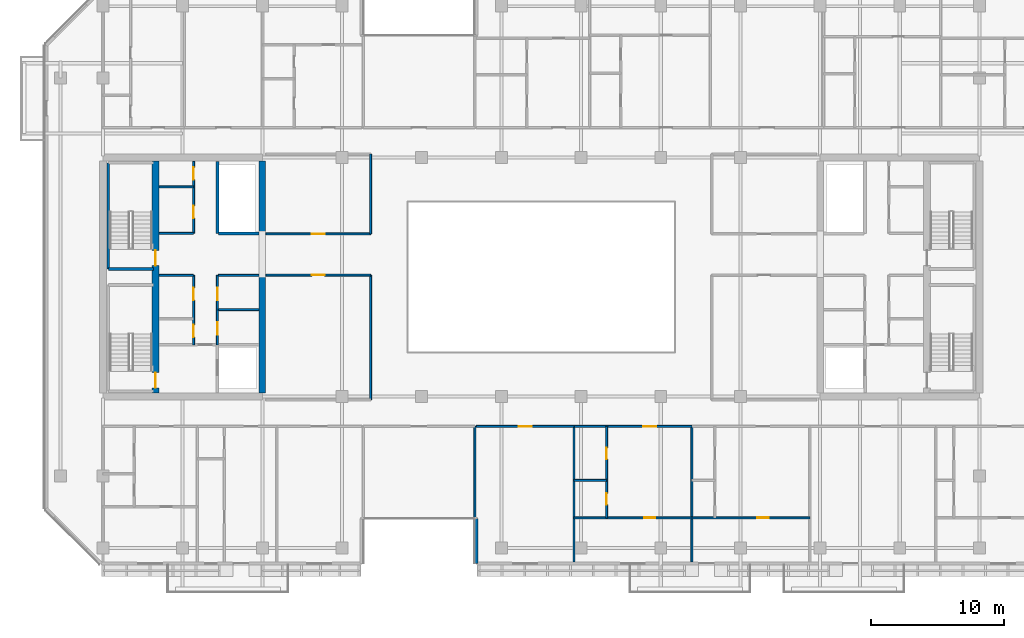
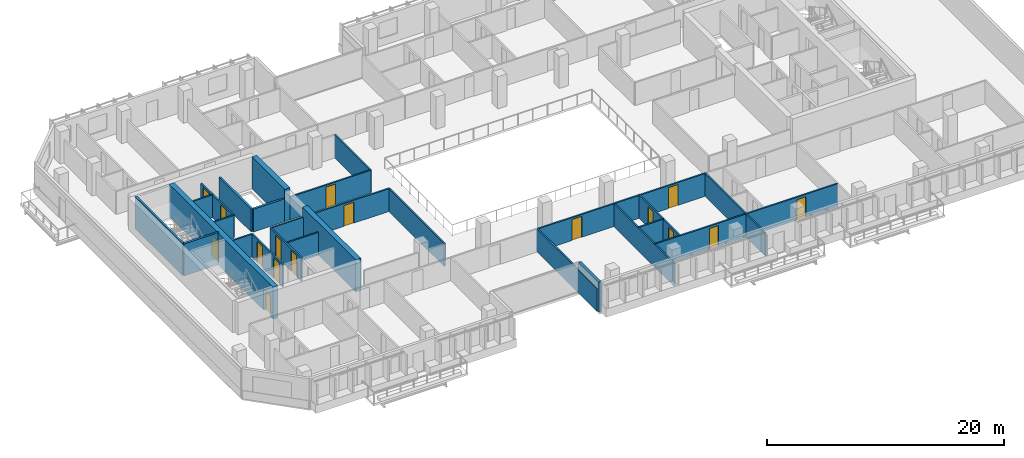
# One storey, part 10 of 21: 29 walls, 16 doors, 16 openings.
"""IFC4 building model written with IfcOpenShell, lengths in metres."""

from ifc_helpers import new_model, si_unit, direction, frame, frame_2d, origin, place, context, subcontext, project, spatial, rectangle, extrude, material, layer, layer_set, type_object, element, fill, save


model = new_model("IFC4")

# Units and contexts
model_context = context("Model", 3, precision=1e-05, world=origin(), true_north=direction((0.0, 1.0)))
body_context = subcontext(model_context, "Body", "Model", "MODEL_VIEW")
ifc_project = project(units=[si_unit("LENGTHUNIT", "METRE"), si_unit("AREAUNIT", "SQUARE_METRE"), si_unit("VOLUMEUNIT", "CUBIC_METRE"), si_unit("PLANEANGLEUNIT", "RADIAN"), si_unit("MASSUNIT", "GRAM", prefix="KILO")], contexts=[model_context])

# Site, building, storey
site_placement = place(None, origin())
site = spatial("IfcSite", under=ifc_project, at=site_placement, CompositionType="ELEMENT")
building_placement = place(site_placement, origin())
building = spatial("IfcBuilding", under=site, at=building_placement, Name="Tanjung Sevakor Pilgrim Tower", CompositionType="ELEMENT")
storey_placement = place(building_placement, frame((0.0, 0.0, 145.199951171875)))
storey = spatial("IfcBuildingStorey", under=building, at=storey_placement, Name="L40", CompositionType="ELEMENT", Elevation=145.199951171875)

# Walls
ifc_material_1 = material(Name="Concrete C60/75", Category="concrete")
ifc_layer_1 = layer(ifc_material_1, 0.5)
ifc_layer_set_1 = layer_set([ifc_layer_1], Name="WALL-CW-500")
wall_type_1 = type_object("IfcWallType", Name="WALL-CW-500", PredefinedType="SHEAR", material=ifc_layer_set_1)
wall_1_placement = place(storey_placement, frame((36.0, 24.85009765625, 0.0), z_axis=(0.0, 0.0, 1.0), x_axis=(0.0, 1.0, 0.0)))
element("IfcWall", 1, at=wall_1_placement, inside=storey, type_object=wall_type_1, Name="L40 W Core Inner Shear Wall South", PredefinedType="SHEAR", context=body_context, shape_type="SweptSolid", body=[
    extrude(rectangle(XDim=8.949951171875, YDim=0.5, at=frame_2d((4.47509765625, 0.0))), origin(), (0.0, 0.0, 1.0), 3.300048828125),
])
wall_2_placement = place(storey_placement, frame((36.0, 36.800048828125, 0.0), z_axis=(0.0, 0.0, 1.0), x_axis=(0.0, 1.0, 0.0)))
element("IfcWall", 2, at=wall_2_placement, inside=storey, type_object=wall_type_1, Name="L40 W Core Inner Shear Wall North", PredefinedType="SHEAR", context=body_context, shape_type="SweptSolid", body=[
    extrude(rectangle(XDim=5.550048828125, YDim=0.5, at=frame_2d((2.77490234375, 0.0))), origin(), (0.0, 0.0, 1.0), 3.300048828125),
])

# Wall, openings, doors
wall_3_placement = place(storey_placement, frame((27.949951171875, 24.85009765625, 0.0), z_axis=(0.0, 0.0, 1.0), x_axis=(0.0, 1.0, 0.0)))
wall_3 = element("IfcWall", 3, at=wall_3_placement, inside=storey, type_object=wall_type_1, Name="L40 W Core Stair Spine Wall", PredefinedType="SHEAR", context=body_context, shape_type="SweptSolid", body=[
    extrude(rectangle(XDim=17.5, YDim=0.5, at=frame_2d((8.75, 0.0))), origin(), (0.0, 0.0, 1.0), 3.300048828125),
])
opening_1_placement = place(wall_3_placement, frame((0.39990234375, 0.0, 0.0)))
opening_1 = element("IfcOpeningElement", 4, at=opening_1_placement, cuts=wall_3, Name="Opening ID-ST1", PredefinedType="OPENING", context=body_context, shape_type="SweptSolid", body=[
    extrude(rectangle(XDim=1.14990234375, YDim=2.14990234375, at=frame_2d((0.574951171875, 1.074951171875))), frame((0.0, 0.260009765625, 0.0), z_axis=(0.0, -1.0, 0.0), x_axis=(1.0, 0.0, 0.0)), (0.0, 0.0, 1.0), 0.52001953125),
])
opening_2_placement = place(wall_3_placement, frame((9.60009765625, 0.0, 0.0)))
opening_2 = element("IfcOpeningElement", 5, at=opening_2_placement, cuts=wall_3, Name="Opening ID-ST1", PredefinedType="OPENING", context=body_context, shape_type="SweptSolid", body=[
    extrude(rectangle(XDim=1.14990234375, YDim=2.14990234375, at=frame_2d((0.574951171875, 1.074951171875))), frame((0.0, 0.260009765625, 0.0), z_axis=(0.0, -1.0, 0.0), x_axis=(1.0, 0.0, 0.0)), (0.0, 0.0, 1.0), 0.52001953125),
])
ifc_material_2 = material(Name="Fire-Rated Steel S355J2", Category="steel")
door_type_1 = type_object("IfcDoorType", Name="DT-FIRE-1150", OperationType="NOTDEFINED", PredefinedType="DOOR", material=ifc_material_2)
door_1_placement = place(opening_1_placement, origin())
door_1 = element("IfcDoor", 6, at=door_1_placement, inside=storey, type_object=door_type_1, Name="L40 TS-W1 Stair Fire Door", OperationType="SINGLE_SWING_RIGHT", OverallHeight=2.14990234375, OverallWidth=1.14990234375, PredefinedType="DOOR", context=body_context, shape_type="SweptSolid", body=[
    extrude(rectangle(XDim=1.14990234375, YDim=2.14990234375, at=frame_2d((0.574951171875, 1.074951171875))), frame((0.0, 0.02490234375, 0.0), z_axis=(0.0, -1.0, 0.0), x_axis=(1.0, 0.0, 0.0)), (0.0, 0.0, 1.0), 0.050048828125),
])
fill(opening_1, door_1)
door_2_placement = place(opening_2_placement, origin())
door_2 = element("IfcDoor", 7, at=door_2_placement, inside=storey, type_object=door_type_1, Name="L40 TS-W2 Stair Fire Door", OperationType="SINGLE_SWING_LEFT", OverallHeight=2.14990234375, OverallWidth=1.14990234375, PredefinedType="DOOR", context=body_context, shape_type="SweptSolid", body=[
    extrude(rectangle(XDim=1.14990234375, YDim=2.14990234375, at=frame_2d((0.574951171875, 1.074951171875))), frame((0.0, 0.02490234375, 0.0), z_axis=(0.0, -1.0, 0.0), x_axis=(1.0, 0.0, 0.0)), (0.0, 0.0, 1.0), 0.050048828125),
])
fill(opening_2, door_2)

# Wall
ifc_material_3 = material(Name="Concrete C40/50", Category="concrete")
ifc_layer_2 = layer(ifc_material_3, 0.14990234375)
ifc_layer_set_2 = layer_set([ifc_layer_2], Name="WT-COMP-150")
wall_type_2 = type_object("IfcWallType", Name="WT-COMP-150", PredefinedType="SOLIDWALL", material=ifc_layer_set_2)
wall_4_placement = place(storey_placement, frame((28.219970703125, 33.719970703125, 0.0), z_axis=(0.0, 0.0, 1.0), x_axis=(1.0, 0.0, 0.0)))
element("IfcWall", 8, at=wall_4_placement, inside=storey, type_object=wall_type_2, Name="L40 Partition IW-L40-004", PredefinedType="SOLIDWALL", context=body_context, shape_type="SweptSolid", body=[
    extrude(rectangle(XDim=2.580078125, YDim=0.14990234375, at=frame_2d((1.2900390625, 0.0))), origin(), (0.0, 0.0, 1.0), 2.35009765625),
])

# Wall, openings, doors
wall_5_placement = place(storey_placement, frame((30.820068359375, 28.5, 0.0), z_axis=(0.0, 0.0, 1.0), x_axis=(0.0, 1.0, 0.0)))
wall_5 = element("IfcWall", 9, at=wall_5_placement, inside=storey, type_object=wall_type_2, Name="L40 Partition IW-L40-005", PredefinedType="SOLIDWALL", context=body_context, shape_type="SweptSolid", body=[
    extrude(rectangle(XDim=5.219970703125, YDim=0.14990234375, at=frame_2d((2.60986328125, 0.0))), origin(), (0.0, 0.0, 1.0), 2.35009765625),
])
opening_3_placement = place(wall_5_placement, frame((0.550048828125, 0.0, 0.0)))
opening_3 = element("IfcOpeningElement", 10, at=opening_3_placement, cuts=wall_5, Name="Opening ID-FD2", PredefinedType="OPENING", context=body_context, shape_type="SweptSolid", body=[
    extrude(rectangle(XDim=0.949951171875, YDim=2.14990234375, at=frame_2d((0.47509765625, 1.074951171875))), frame((0.0, 0.0849609375, 0.0), z_axis=(0.0, -1.0, 0.0), x_axis=(1.0, 0.0, 0.0)), (0.0, 0.0, 1.0), 0.169921875),
])
opening_4_placement = place(wall_5_placement, frame((3.35009765625, 0.0, 0.0)))
opening_4 = element("IfcOpeningElement", 11, at=opening_4_placement, cuts=wall_5, Name="Opening ID-FD2", PredefinedType="OPENING", context=body_context, shape_type="SweptSolid", body=[
    extrude(rectangle(XDim=0.949951171875, YDim=2.14990234375, at=frame_2d((0.47509765625, 1.074951171875))), frame((0.0, 0.0849609375, 0.0), z_axis=(0.0, -1.0, 0.0), x_axis=(1.0, 0.0, 0.0)), (0.0, 0.0, 1.0), 0.169921875),
])
ifc_material_4 = material(Name="Fire-Rated Timber", Category="wood")
door_type_2 = type_object("IfcDoorType", Name="DT-FIRE-950", OperationType="NOTDEFINED", PredefinedType="DOOR", material=ifc_material_4)
door_3_placement = place(opening_3_placement, origin())
door_3 = element("IfcDoor", 12, at=door_3_placement, inside=storey, type_object=door_type_2, Name="L40 Cleaner Store Door", OperationType="SINGLE_SWING_LEFT", OverallHeight=2.14990234375, OverallWidth=0.949951171875, PredefinedType="DOOR", context=body_context, shape_type="SweptSolid", body=[
    extrude(rectangle(XDim=0.949951171875, YDim=2.14990234375, at=frame_2d((0.47509765625, 1.074951171875))), frame((0.0, 0.02490234375, 0.0), z_axis=(0.0, -1.0, 0.0), x_axis=(1.0, 0.0, 0.0)), (0.0, 0.0, 1.0), 0.050048828125),
])
fill(opening_3, door_3)
door_4_placement = place(opening_4_placement, origin())
door_4 = element("IfcDoor", 13, at=door_4_placement, inside=storey, type_object=door_type_2, Name="L40 Housekeeping Pantry Door", OperationType="SINGLE_SWING_RIGHT", OverallHeight=2.14990234375, OverallWidth=0.949951171875, PredefinedType="DOOR", context=body_context, shape_type="SweptSolid", body=[
    extrude(rectangle(XDim=0.949951171875, YDim=2.14990234375, at=frame_2d((0.47509765625, 1.074951171875))), frame((0.0, 0.02490234375, 0.0), z_axis=(0.0, -1.0, 0.0), x_axis=(1.0, 0.0, 0.0)), (0.0, 0.0, 1.0), 0.050048828125),
])
fill(opening_4, door_4)

# Walls
for number, where, z_axis, x_axis, name in (
    (14, (32.679931640625, 31.14990234375, 0.0), (0.0, 0.0, 1.0), (1.0, 0.0, 0.0), "L40 Partition IW-L40-006"),
    (15, (32.679931640625, 33.719970703125, 0.0), (0.0, 0.0, 1.0), (1.0, 0.0, 0.0), "L40 Partition IW-L40-007"),
):
    element("IfcWall", number, at=place(storey_placement, frame(where, z_axis=z_axis, x_axis=x_axis)), inside=storey, type_object=wall_type_2, Name=name, PredefinedType="SOLIDWALL", context=body_context, shape_type="SweptSolid", body=[
        extrude(rectangle(XDim=3.050048828125, YDim=0.14990234375, at=frame_2d((1.52490234375, 0.0))), origin(), (0.0, 0.0, 1.0), 2.35009765625),
    ])

# Wall, openings, doors
wall_6_placement = place(storey_placement, frame((32.6201171875, 28.5, 0.0), z_axis=(0.0, 0.0, 1.0), x_axis=(0.0, 1.0, 0.0)))
wall_6 = element("IfcWall", 16, at=wall_6_placement, inside=storey, type_object=wall_type_2, Name="L40 Partition IW-L40-008", PredefinedType="SOLIDWALL", context=body_context, shape_type="SweptSolid", body=[
    extrude(rectangle(XDim=5.219970703125, YDim=0.14990234375, at=frame_2d((2.60986328125, 0.0))), origin(), (0.0, 0.0, 1.0), 2.35009765625),
])
opening_5_placement = place(wall_6_placement, frame((0.75, 0.0, 0.0)))
opening_5 = element("IfcOpeningElement", 17, at=opening_5_placement, cuts=wall_6, Name="Opening ID-FD2", PredefinedType="OPENING", context=body_context, shape_type="SweptSolid", body=[
    extrude(rectangle(XDim=0.949951171875, YDim=2.14990234375, at=frame_2d((0.47509765625, 1.074951171875))), frame((0.0, 0.0849609375, 0.0), z_axis=(0.0, -1.0, 0.0), x_axis=(1.0, 0.0, 0.0)), (0.0, 0.0, 1.0), 0.169921875),
])
opening_6_placement = place(wall_6_placement, frame((3.35009765625, 0.0, 0.0)))
opening_6 = element("IfcOpeningElement", 18, at=opening_6_placement, cuts=wall_6, Name="Opening ID-FD2", PredefinedType="OPENING", context=body_context, shape_type="SweptSolid", body=[
    extrude(rectangle(XDim=0.949951171875, YDim=2.14990234375, at=frame_2d((0.47509765625, 1.074951171875))), frame((0.0, 0.0849609375, 0.0), z_axis=(0.0, -1.0, 0.0), x_axis=(1.0, 0.0, 0.0)), (0.0, 0.0, 1.0), 0.169921875),
])
door_5_placement = place(opening_5_placement, origin())
door_5 = element("IfcDoor", 19, at=door_5_placement, inside=storey, type_object=door_type_2, Name="L40 Accessible WC Door", OperationType="SINGLE_SWING_LEFT", OverallHeight=2.14990234375, OverallWidth=0.949951171875, PredefinedType="DOOR", context=body_context, shape_type="SweptSolid", body=[
    extrude(rectangle(XDim=0.949951171875, YDim=2.14990234375, at=frame_2d((0.47509765625, 1.074951171875))), frame((0.0, 0.02490234375, 0.0), z_axis=(0.0, -1.0, 0.0), x_axis=(1.0, 0.0, 0.0)), (0.0, 0.0, 1.0), 0.050048828125),
])
fill(opening_5, door_5)
door_6_placement = place(opening_6_placement, origin())
door_6 = element("IfcDoor", 20, at=door_6_placement, inside=storey, type_object=door_type_2, Name="L40 Core Service Door", OperationType="SINGLE_SWING_RIGHT", OverallHeight=2.14990234375, OverallWidth=0.949951171875, PredefinedType="DOOR", context=body_context, shape_type="SweptSolid", body=[
    extrude(rectangle(XDim=0.949951171875, YDim=2.14990234375, at=frame_2d((0.47509765625, 1.074951171875))), frame((0.0, 0.02490234375, 0.0), z_axis=(0.0, -1.0, 0.0), x_axis=(1.0, 0.0, 0.0)), (0.0, 0.0, 1.0), 0.050048828125),
])
fill(opening_6, door_6)

# Walls
for number, where, z_axis, x_axis, name in (
    (21, (28.219970703125, 36.8798828125, 0.0), (0.0, 0.0, 1.0), (1.0, 0.0, 0.0), "L40 Partition IW-L40-009"),
    (22, (28.219970703125, 40.389892578125, 0.0), (0.0, 0.0, 1.0), (1.0, 0.0, 0.0), "L40 Partition IW-L40-010"),
):
    element("IfcWall", number, at=place(storey_placement, frame(where, z_axis=z_axis, x_axis=x_axis)), inside=storey, type_object=wall_type_2, Name=name, PredefinedType="SOLIDWALL", context=body_context, shape_type="SweptSolid", body=[
        extrude(rectangle(XDim=2.580078125, YDim=0.14990234375, at=frame_2d((1.2900390625, 0.0))), origin(), (0.0, 0.0, 1.0), 2.35009765625),
    ])

# Wall, openings, doors
wall_7_placement = place(storey_placement, frame((30.820068359375, 36.8798828125, 0.0), z_axis=(0.0, 0.0, 1.0), x_axis=(0.0, 1.0, 0.0)))
wall_7 = element("IfcWall", 23, at=wall_7_placement, inside=storey, type_object=wall_type_2, Name="L40 Partition IW-L40-011", PredefinedType="SOLIDWALL", context=body_context, shape_type="SweptSolid", body=[
    extrude(rectangle(XDim=5.420166015625, YDim=0.14990234375, at=frame_2d((2.7099609375, 0.0))), origin(), (0.0, 0.0, 1.0), 2.35009765625),
])
opening_7_placement = place(wall_7_placement, frame((1.14990234375, 0.0, 0.0)))
opening_7 = element("IfcOpeningElement", 24, at=opening_7_placement, cuts=wall_7, Name="Opening ID-FD2", PredefinedType="OPENING", context=body_context, shape_type="SweptSolid", body=[
    extrude(rectangle(XDim=0.949951171875, YDim=2.14990234375, at=frame_2d((0.47509765625, 1.074951171875))), frame((0.0, 0.0849609375, 0.0), z_axis=(0.0, -1.0, 0.0), x_axis=(1.0, 0.0, 0.0)), (0.0, 0.0, 1.0), 0.169921875),
])
opening_8_placement = place(wall_7_placement, frame((4.050048828125, 0.0, 0.0)))
opening_8 = element("IfcOpeningElement", 25, at=opening_8_placement, cuts=wall_7, Name="Opening ID-FD2", PredefinedType="OPENING", context=body_context, shape_type="SweptSolid", body=[
    extrude(rectangle(XDim=0.949951171875, YDim=2.14990234375, at=frame_2d((0.47509765625, 1.074951171875))), frame((0.0, 0.0849609375, 0.0), z_axis=(0.0, -1.0, 0.0), x_axis=(1.0, 0.0, 0.0)), (0.0, 0.0, 1.0), 0.169921875),
])
door_7_placement = place(opening_7_placement, origin())
door_7 = element("IfcDoor", 26, at=door_7_placement, inside=storey, type_object=door_type_2, Name="L40 Core Study Room Door", OperationType="SINGLE_SWING_LEFT", OverallHeight=2.14990234375, OverallWidth=0.949951171875, PredefinedType="DOOR", context=body_context, shape_type="SweptSolid", body=[
    extrude(rectangle(XDim=0.949951171875, YDim=2.14990234375, at=frame_2d((0.47509765625, 1.074951171875))), frame((0.0, 0.02490234375, 0.0), z_axis=(0.0, -1.0, 0.0), x_axis=(1.0, 0.0, 0.0)), (0.0, 0.0, 1.0), 0.050048828125),
])
fill(opening_7, door_7)
door_8_placement = place(opening_8_placement, origin())
door_8 = element("IfcDoor", 27, at=door_8_placement, inside=storey, type_object=door_type_2, Name="L40 Service Store Door", OperationType="SINGLE_SWING_RIGHT", OverallHeight=2.14990234375, OverallWidth=0.949951171875, PredefinedType="DOOR", context=body_context, shape_type="SweptSolid", body=[
    extrude(rectangle(XDim=0.949951171875, YDim=2.14990234375, at=frame_2d((0.47509765625, 1.074951171875))), frame((0.0, 0.02490234375, 0.0), z_axis=(0.0, -1.0, 0.0), x_axis=(1.0, 0.0, 0.0)), (0.0, 0.0, 1.0), 0.050048828125),
])
fill(opening_8, door_8)

# Wall, opening, door
wall_8_placement = place(storey_placement, frame((36.27001953125, 33.75, 0.0), z_axis=(0.0, 0.0, 1.0), x_axis=(1.0, 0.0, 0.0)))
wall_8 = element("IfcWall", 28, at=wall_8_placement, inside=storey, type_object=wall_type_2, Name="L40 Partition IW-L40-028", PredefinedType="SOLIDWALL", context=body_context, shape_type="SweptSolid", body=[
    extrude(rectangle(XDim=7.8798828125, YDim=0.14990234375, at=frame_2d((3.93994140625, 0.0))), origin(), (0.0, 0.0, 1.0), 2.35009765625),
])
opening_9_placement = place(wall_8_placement, frame((3.465087890625, 0.0, 0.0)))
opening_9 = element("IfcOpeningElement", 29, at=opening_9_placement, cuts=wall_8, Name="Opening ID-RM1", PredefinedType="OPENING", context=body_context, shape_type="SweptSolid", body=[
    extrude(rectangle(XDim=0.949951171875, YDim=2.14990234375, at=frame_2d((0.47509765625, 1.074951171875))), frame((0.0, 0.0849609375, 0.0), z_axis=(0.0, -1.0, 0.0), x_axis=(1.0, 0.0, 0.0)), (0.0, 0.0, 1.0), 0.169921875),
])
ifc_material_5 = material(Name="Hardwood Timber", Category="wood")
door_type_3 = type_object("IfcDoorType", Name="DT-INT-950", OperationType="NOTDEFINED", PredefinedType="DOOR", material=ifc_material_5)
door_9_placement = place(opening_9_placement, origin())
door_9 = element("IfcDoor", 30, at=door_9_placement, inside=storey, type_object=door_type_3, Name="L40 West Inboard South Door", OperationType="SINGLE_SWING_LEFT", OverallHeight=2.14990234375, OverallWidth=0.949951171875, PredefinedType="DOOR", context=body_context, shape_type="SweptSolid", body=[
    extrude(rectangle(XDim=0.949951171875, YDim=2.14990234375, at=frame_2d((0.47509765625, 1.074951171875))), frame((0.0, 0.02490234375, 0.0), z_axis=(0.0, -1.0, 0.0), x_axis=(1.0, 0.0, 0.0)), (0.0, 0.0, 1.0), 0.050048828125),
])
fill(opening_9, door_9)

# Wall
wall_9_placement = place(storey_placement, frame((44.14990234375, 24.35009765625, 0.0), z_axis=(0.0, 0.0, 1.0), x_axis=(0.0, 1.0, 0.0)))
element("IfcWall", 31, at=wall_9_placement, inside=storey, type_object=wall_type_2, Name="L40 Partition IW-L40-029", PredefinedType="SOLIDWALL", context=body_context, shape_type="SweptSolid", body=[
    extrude(rectangle(XDim=9.39990234375, YDim=0.14990234375, at=frame_2d((4.699951171875, 0.0))), origin(), (0.0, 0.0, 1.0), 2.35009765625),
])

# Wall, opening, door
wall_10_placement = place(storey_placement, frame((36.27001953125, 36.85009765625, 0.0), z_axis=(0.0, 0.0, 1.0), x_axis=(1.0, 0.0, 0.0)))
wall_10 = element("IfcWall", 32, at=wall_10_placement, inside=storey, type_object=wall_type_2, Name="L40 Partition IW-L40-030", PredefinedType="SOLIDWALL", context=body_context, shape_type="SweptSolid", body=[
    extrude(rectangle(XDim=7.8798828125, YDim=0.14990234375, at=frame_2d((3.93994140625, 0.0))), origin(), (0.0, 0.0, 1.0), 2.35009765625),
])
opening_10_placement = place(wall_10_placement, frame((3.465087890625, 0.0, 0.0)))
opening_10 = element("IfcOpeningElement", 33, at=opening_10_placement, cuts=wall_10, Name="Opening ID-RM1", PredefinedType="OPENING", context=body_context, shape_type="SweptSolid", body=[
    extrude(rectangle(XDim=0.949951171875, YDim=2.14990234375, at=frame_2d((0.47509765625, 1.074951171875))), frame((0.0, 0.0849609375, 0.0), z_axis=(0.0, -1.0, 0.0), x_axis=(1.0, 0.0, 0.0)), (0.0, 0.0, 1.0), 0.169921875),
])
door_10_placement = place(opening_10_placement, origin())
door_10 = element("IfcDoor", 34, at=door_10_placement, inside=storey, type_object=door_type_3, Name="L40 West Inboard North Door", OperationType="SINGLE_SWING_RIGHT", OverallHeight=2.14990234375, OverallWidth=0.949951171875, PredefinedType="DOOR", context=body_context, shape_type="SweptSolid", body=[
    extrude(rectangle(XDim=0.949951171875, YDim=2.14990234375, at=frame_2d((0.47509765625, 1.074951171875))), frame((0.0, 0.02490234375, 0.0), z_axis=(0.0, -1.0, 0.0), x_axis=(1.0, 0.0, 0.0)), (0.0, 0.0, 1.0), 0.050048828125),
])
fill(opening_10, door_10)

# Walls
wall_11_placement = place(storey_placement, frame((44.14990234375, 36.85009765625, 0.0), z_axis=(0.0, 0.0, 1.0), x_axis=(0.0, 1.0, 0.0)))
element("IfcWall", 35, at=wall_11_placement, inside=storey, type_object=wall_type_2, Name="L40 Partition IW-L40-032", PredefinedType="SOLIDWALL", context=body_context, shape_type="SweptSolid", body=[
    extrude(rectangle(XDim=6.0, YDim=0.14990234375, at=frame_2d((3.0, 0.0))), origin(), (0.0, 0.0, 1.0), 2.35009765625),
])
for number, where, z_axis, x_axis, name in (
    (36, (52.0, 12.14990234375, 0.0), (0.0, 0.0, 1.0), (0.0, 1.0, 0.0), "L40 Partition IW-L40-041"),
    (37, (59.46875, 12.14990234375, 0.0), (0.0, 0.0, 1.0), (0.0, 1.0, 0.0), "L40 Partition IW-L40-057"),
):
    element("IfcWall", number, at=place(storey_placement, frame(where, z_axis=z_axis, x_axis=x_axis)), inside=storey, type_object=wall_type_2, Name=name, PredefinedType="SOLIDWALL", context=body_context, shape_type="SweptSolid", body=[
        extrude(rectangle(XDim=10.2001953125, YDim=0.14990234375, at=frame_2d((5.10009765625, 0.0))), origin(), (0.0, 0.0, 1.0), 2.35009765625),
    ])

# Wall, opening, door
wall_12_placement = place(storey_placement, frame((52.1201171875, 22.35009765625, 0.0), z_axis=(0.0, 0.0, 1.0), x_axis=(1.0, 0.0, 0.0)))
wall_12 = element("IfcWall", 38, at=wall_12_placement, inside=storey, type_object=wall_type_2, Name="L40 Partition IW-L40-058", PredefinedType="SOLIDWALL", context=body_context, shape_type="SweptSolid", body=[
    extrude(rectangle(XDim=7.3486328125, YDim=0.14990234375, at=frame_2d((3.67431640625, 0.0))), origin(), (0.0, 0.0, 1.0), 2.35009765625),
])
opening_11_placement = place(wall_12_placement, frame((3.199462890625, 0.0, 0.0)))
opening_11 = element("IfcOpeningElement", 39, at=opening_11_placement, cuts=wall_12, Name="Opening ID-FD2", PredefinedType="OPENING", context=body_context, shape_type="SweptSolid", body=[
    extrude(rectangle(XDim=0.949951171875, YDim=2.14990234375, at=frame_2d((0.47509765625, 1.074951171875))), frame((0.0, 0.0849609375, 0.0), z_axis=(0.0, -1.0, 0.0), x_axis=(1.0, 0.0, 0.0)), (0.0, 0.0, 1.0), 0.169921875),
])
door_11_placement = place(opening_11_placement, origin())
door_11 = element("IfcDoor", 40, at=door_11_placement, inside=storey, type_object=door_type_2, Name="Housekeeping Pantry Door", OperationType="SINGLE_SWING_LEFT", OverallHeight=2.14990234375, OverallWidth=0.949951171875, PredefinedType="DOOR", context=body_context, shape_type="SweptSolid", body=[
    extrude(rectangle(XDim=0.949951171875, YDim=2.14990234375, at=frame_2d((0.47509765625, 1.074951171875))), frame((0.0, 0.02490234375, 0.0), z_axis=(0.0, -1.0, 0.0), x_axis=(1.0, 0.0, 0.0)), (0.0, 0.0, 1.0), 0.050048828125),
])
fill(opening_11, door_11)

# Wall
wall_13_placement = place(storey_placement, frame((68.348388671875, 12.14990234375, 0.0), z_axis=(0.0, 0.0, 1.0), x_axis=(0.0, 1.0, 0.0)))
element("IfcWall", 41, at=wall_13_placement, inside=storey, type_object=wall_type_2, Name="L40 Partition IW-L40-059", PredefinedType="SOLIDWALL", context=body_context, shape_type="SweptSolid", body=[
    extrude(rectangle(XDim=10.2001953125, YDim=0.14990234375, at=frame_2d((5.10009765625, 0.0))), origin(), (0.0, 0.0, 1.0), 2.35009765625),
])

# Wall, opening, door
wall_14_placement = place(storey_placement, frame((59.46875, 22.35009765625, 0.0), z_axis=(0.0, 0.0, 1.0), x_axis=(1.0, 0.0, 0.0)))
wall_14 = element("IfcWall", 42, at=wall_14_placement, inside=storey, type_object=wall_type_2, Name="L40 Partition IW-L40-063", PredefinedType="SOLIDWALL", context=body_context, shape_type="SweptSolid", body=[
    extrude(rectangle(XDim=8.879638671875, YDim=0.14990234375, at=frame_2d((4.43994140625, 0.0))), origin(), (0.0, 0.0, 1.0), 2.35009765625),
])
opening_12_placement = place(wall_14_placement, frame((5.23046875, 0.0, 0.0)))
opening_12 = element("IfcOpeningElement", 43, at=opening_12_placement, cuts=wall_14, Name="Opening ID-FD2", PredefinedType="OPENING", context=body_context, shape_type="SweptSolid", body=[
    extrude(rectangle(XDim=0.949951171875, YDim=2.14990234375, at=frame_2d((0.47509765625, 1.074951171875))), frame((0.0, 0.0849609375, 0.0), z_axis=(0.0, -1.0, 0.0), x_axis=(1.0, 0.0, 0.0)), (0.0, 0.0, 1.0), 0.169921875),
])
door_12_placement = place(opening_12_placement, origin())
door_12 = element("IfcDoor", 44, at=door_12_placement, inside=storey, type_object=door_type_2, Name="Residence Entrance", OperationType="SINGLE_SWING_LEFT", OverallHeight=2.14990234375, OverallWidth=0.949951171875, PredefinedType="DOOR", context=body_context, shape_type="SweptSolid", body=[
    extrude(rectangle(XDim=0.949951171875, YDim=2.14990234375, at=frame_2d((0.47509765625, 1.074951171875))), frame((0.0, 0.02490234375, 0.0), z_axis=(0.0, -1.0, 0.0), x_axis=(1.0, 0.0, 0.0)), (0.0, 0.0, 1.0), 0.050048828125),
])
fill(opening_12, door_12)

# Walls
ifc_material_6 = material(Name="Precast concrete C45/55", Category="concrete")
ifc_layer_3 = layer(ifc_material_6, 0.25)
ifc_layer_set_3 = layer_set([ifc_layer_3], Name="WT-EW-STN3")
wall_type_3 = type_object("IfcWallType", Name="WT-EW-STN3", PredefinedType="SOLIDWALL", material=ifc_layer_set_3)
wall_15_placement = place(storey_placement, frame((52.125, 15.425048828125, 0.0), z_axis=(0.0, 0.0, 1.0), x_axis=(0.0, -1.0, 0.0)))
element("IfcWall", 45, at=wall_15_placement, inside=storey, type_object=wall_type_3, Name="L40 MAIN Exterior Wall 4", PredefinedType="SOLIDWALL", context=body_context, shape_type="SweptSolid", body=[
    extrude(rectangle(XDim=3.400146484375, YDim=0.25, at=frame_2d((1.7001953125, 0.0))), origin(), (0.0, 0.0, 1.0), 3.080078125),
])
ifc_material_7 = material(Name="Concrete C40/50", Category="concrete")
ifc_layer_4 = layer(ifc_material_7, 0.199951171875)
ifc_layer_set_4 = layer_set([ifc_layer_4], Name="WT-FIRE-200")
wall_type_4 = type_object("IfcWallType", Name="WT-FIRE-200", PredefinedType="SOLIDWALL", material=ifc_layer_set_4)
wall_16_placement = place(storey_placement, frame((24.39990234375, 34.199951171875, 0.0), z_axis=(0.0, 0.0, 1.0), x_axis=(1.0, 0.0, 0.0)))
element("IfcWall", 46, at=wall_16_placement, inside=storey, type_object=wall_type_4, Name="L40 TS-W2 Shaft Wall 1", PredefinedType="SOLIDWALL", context=body_context, shape_type="SweptSolid", body=[
    extrude(rectangle(XDim=3.400146484375, YDim=0.199951171875, at=frame_2d((1.7001953125, 0.0))), origin(), (0.0, 0.0, 1.0), 3.300048828125),
])
wall_17_placement = place(storey_placement, frame((24.39990234375, 42.199951171875, 0.0), z_axis=(0.0, 0.0, 1.0), x_axis=(0.0, -1.0, 0.0)))
element("IfcWall", 47, at=wall_17_placement, inside=storey, type_object=wall_type_4, Name="L40 TS-W2 Shaft Wall 3", PredefinedType="SOLIDWALL", context=body_context, shape_type="SweptSolid", body=[
    extrude(rectangle(XDim=8.0, YDim=0.199951171875, at=frame_2d((4.0, 0.0))), origin(), (0.0, 0.0, 1.0), 3.300048828125),
])
ifc_material_8 = material(Name="Concrete C40/50", Category="concrete")
ifc_layer_5 = layer(ifc_material_8, 0.199951171875)
ifc_layer_set_5 = layer_set([ifc_layer_5], Name="WT-FPRT-200")
wall_type_5 = type_object("IfcWallType", Name="WT-FPRT-200", PredefinedType="SOLIDWALL", material=ifc_layer_set_5)
wall_18_placement = place(storey_placement, frame((32.679931640625, 36.8798828125, 0.0), z_axis=(0.0, 0.0, 1.0), x_axis=(1.0, 0.0, 0.0)))
element("IfcWall", 48, at=wall_18_placement, inside=storey, type_object=wall_type_5, Name="L40 Partition IW-L40-012", PredefinedType="SOLIDWALL", context=body_context, shape_type="SweptSolid", body=[
    extrude(rectangle(XDim=3.050048828125, YDim=0.199951171875, at=frame_2d((1.52490234375, 0.0))), origin(), (0.0, 0.0, 1.0), 2.35009765625),
])
wall_19_placement = place(storey_placement, frame((32.6201171875, 36.8798828125, 0.0), z_axis=(0.0, 0.0, 1.0), x_axis=(0.0, 1.0, 0.0)))
element("IfcWall", 49, at=wall_19_placement, inside=storey, type_object=wall_type_5, Name="L40 Partition IW-L40-013", PredefinedType="SOLIDWALL", context=body_context, shape_type="SweptSolid", body=[
    extrude(rectangle(XDim=5.420166015625, YDim=0.199951171875, at=frame_2d((2.7099609375, 0.0))), origin(), (0.0, 0.0, 1.0), 2.35009765625),
])
ifc_material_9 = material(Name="Gypsum Board Partition", Category="gypsum board")
ifc_layer_6 = layer(ifc_material_9, 0.14990234375)
ifc_layer_set_6 = layer_set([ifc_layer_6], Name="WT-PART-150")
wall_type_6 = type_object("IfcWallType", Name="WT-PART-150", PredefinedType="PARTITIONING", material=ifc_layer_set_6)
wall_20_placement = place(storey_placement, frame((59.46875, 18.2919921875, 0.0), z_axis=(0.0, 0.0, 1.0), x_axis=(1.0, 0.0, 0.0)))
element("IfcWall", 50, at=wall_20_placement, inside=storey, type_object=wall_type_6, Name="L40 Partition IW-L40-060", PredefinedType="PARTITIONING", context=body_context, shape_type="SweptSolid", body=[
    extrude(rectangle(XDim=2.451171875, YDim=0.14990234375, at=frame_2d((1.2255859375, 0.0))), origin(), (0.0, 0.0, 1.0), 2.35009765625),
])

# Wall, openings, doors
wall_21_placement = place(storey_placement, frame((61.919921875, 15.47216796875, 0.0), z_axis=(0.0, 0.0, 1.0), x_axis=(0.0, 1.0, 0.0)))
wall_21 = element("IfcWall", 51, at=wall_21_placement, inside=storey, type_object=wall_type_6, Name="L40 Partition IW-L40-061", PredefinedType="PARTITIONING", context=body_context, shape_type="SweptSolid", body=[
    extrude(rectangle(XDim=6.8779296875, YDim=0.14990234375, at=frame_2d((3.43896484375, 0.0))), origin(), (0.0, 0.0, 1.0), 2.35009765625),
])
opening_13_placement = place(wall_21_placement, frame((0.985107421875, 0.0, 0.0)))
opening_13 = element("IfcOpeningElement", 52, at=opening_13_placement, cuts=wall_21, Name="Opening ID-WC1", PredefinedType="OPENING", context=body_context, shape_type="SweptSolid", body=[
    extrude(rectangle(XDim=0.85009765625, YDim=2.10009765625, at=frame_2d((0.425048828125, 1.050048828125))), frame((0.0, 0.0849609375, 0.0), z_axis=(0.0, -1.0, 0.0), x_axis=(1.0, 0.0, 0.0)), (0.0, 0.0, 1.0), 0.169921875),
])
opening_14_placement = place(wall_21_placement, frame((4.423828125, 0.0, 0.0)))
opening_14 = element("IfcOpeningElement", 53, at=opening_14_placement, cuts=wall_21, Name="Opening ID-WC1", PredefinedType="OPENING", context=body_context, shape_type="SweptSolid", body=[
    extrude(rectangle(XDim=0.85009765625, YDim=2.10009765625, at=frame_2d((0.425048828125, 1.050048828125))), frame((0.0, 0.0849609375, 0.0), z_axis=(0.0, -1.0, 0.0), x_axis=(1.0, 0.0, 0.0)), (0.0, 0.0, 1.0), 0.169921875),
])
ifc_material_10 = material(Name="Moisture-Resistant Timber", Category="wood")
door_type_4 = type_object("IfcDoorType", Name="DT-INT-850", OperationType="NOTDEFINED", PredefinedType="DOOR", material=ifc_material_10)
door_13_placement = place(opening_13_placement, origin())
door_13 = element("IfcDoor", 54, at=door_13_placement, inside=storey, type_object=door_type_4, Name="Residence Bathroom Door", OperationType="SINGLE_SWING_RIGHT", OverallHeight=2.10009765625, OverallWidth=0.85009765625, PredefinedType="DOOR", context=body_context, shape_type="SweptSolid", body=[
    extrude(rectangle(XDim=0.85009765625, YDim=2.10009765625, at=frame_2d((0.425048828125, 1.050048828125))), frame((0.0, 0.02490234375, 0.0), z_axis=(0.0, -1.0, 0.0), x_axis=(1.0, 0.0, 0.0)), (0.0, 0.0, 1.0), 0.050048828125),
])
fill(opening_13, door_13)
door_14_placement = place(opening_14_placement, origin())
door_14 = element("IfcDoor", 55, at=door_14_placement, inside=storey, type_object=door_type_4, Name="Residence Kitchenette Door", OperationType="SINGLE_SWING_LEFT", OverallHeight=2.10009765625, OverallWidth=0.85009765625, PredefinedType="DOOR", context=body_context, shape_type="SweptSolid", body=[
    extrude(rectangle(XDim=0.85009765625, YDim=2.10009765625, at=frame_2d((0.425048828125, 1.050048828125))), frame((0.0, 0.02490234375, 0.0), z_axis=(0.0, -1.0, 0.0), x_axis=(1.0, 0.0, 0.0)), (0.0, 0.0, 1.0), 0.050048828125),
])
fill(opening_14, door_14)

# Wall, opening, door
wall_22_placement = place(storey_placement, frame((59.46875, 15.47216796875, 0.0), z_axis=(0.0, 0.0, 1.0), x_axis=(1.0, 0.0, 0.0)))
wall_22 = element("IfcWall", 56, at=wall_22_placement, inside=storey, type_object=wall_type_6, Name="L40 Partition IW-L40-062", PredefinedType="PARTITIONING", context=body_context, shape_type="SweptSolid", body=[
    extrude(rectangle(XDim=8.879638671875, YDim=0.14990234375, at=frame_2d((4.43994140625, 0.0))), origin(), (0.0, 0.0, 1.0), 2.35009765625),
])
opening_15_placement = place(wall_22_placement, frame((5.280517578125, 0.0, 0.0)))
opening_15 = element("IfcOpeningElement", 57, at=opening_15_placement, cuts=wall_22, Name="Opening ID-WC1", PredefinedType="OPENING", context=body_context, shape_type="SweptSolid", body=[
    extrude(rectangle(XDim=0.85009765625, YDim=2.10009765625, at=frame_2d((0.425048828125, 1.050048828125))), frame((0.0, 0.0849609375, 0.0), z_axis=(0.0, -1.0, 0.0), x_axis=(1.0, 0.0, 0.0)), (0.0, 0.0, 1.0), 0.169921875),
])
door_15_placement = place(opening_15_placement, origin())
door_15 = element("IfcDoor", 58, at=door_15_placement, inside=storey, type_object=door_type_4, Name="Residence Bedroom Door", OperationType="SINGLE_SWING_RIGHT", OverallHeight=2.10009765625, OverallWidth=0.85009765625, PredefinedType="DOOR", context=body_context, shape_type="SweptSolid", body=[
    extrude(rectangle(XDim=0.85009765625, YDim=2.10009765625, at=frame_2d((0.425048828125, 1.050048828125))), frame((0.0, 0.02490234375, 0.0), z_axis=(0.0, -1.0, 0.0), x_axis=(1.0, 0.0, 0.0)), (0.0, 0.0, 1.0), 0.050048828125),
])
fill(opening_15, door_15)

wall_23_placement = place(storey_placement, frame((68.348388671875, 15.47216796875, 0.0), z_axis=(0.0, 0.0, 1.0), x_axis=(1.0, 0.0, 0.0)))
wall_23 = element("IfcWall", 59, at=wall_23_placement, inside=storey, type_object=wall_type_6, Name="L40 Partition IW-L40-067", PredefinedType="PARTITIONING", context=body_context, shape_type="SweptSolid", body=[
    extrude(rectangle(XDim=8.879638671875, YDim=0.14990234375, at=frame_2d((4.43994140625, 0.0))), origin(), (0.0, 0.0, 1.0), 2.35009765625),
])
opening_16_placement = place(wall_23_placement, frame((4.920654296875, 0.0, 0.0)))
opening_16 = element("IfcOpeningElement", 60, at=opening_16_placement, cuts=wall_23, Name="Opening ID-WC1", PredefinedType="OPENING", context=body_context, shape_type="SweptSolid", body=[
    extrude(rectangle(XDim=0.85009765625, YDim=2.10009765625, at=frame_2d((0.425048828125, 1.050048828125))), frame((0.0, 0.0849609375, 0.0), z_axis=(0.0, -1.0, 0.0), x_axis=(1.0, 0.0, 0.0)), (0.0, 0.0, 1.0), 0.169921875),
])
door_16_placement = place(opening_16_placement, origin())
door_16 = element("IfcDoor", 61, at=door_16_placement, inside=storey, type_object=door_type_4, Name="Residence Bedroom Door", OperationType="SINGLE_SWING_RIGHT", OverallHeight=2.10009765625, OverallWidth=0.85009765625, PredefinedType="DOOR", context=body_context, shape_type="SweptSolid", body=[
    extrude(rectangle(XDim=0.85009765625, YDim=2.10009765625, at=frame_2d((0.425048828125, 1.050048828125))), frame((0.0, 0.02490234375, 0.0), z_axis=(0.0, -1.0, 0.0), x_axis=(1.0, 0.0, 0.0)), (0.0, 0.0, 1.0), 0.050048828125),
])
fill(opening_16, door_16)

save(model, "model.ifc")
